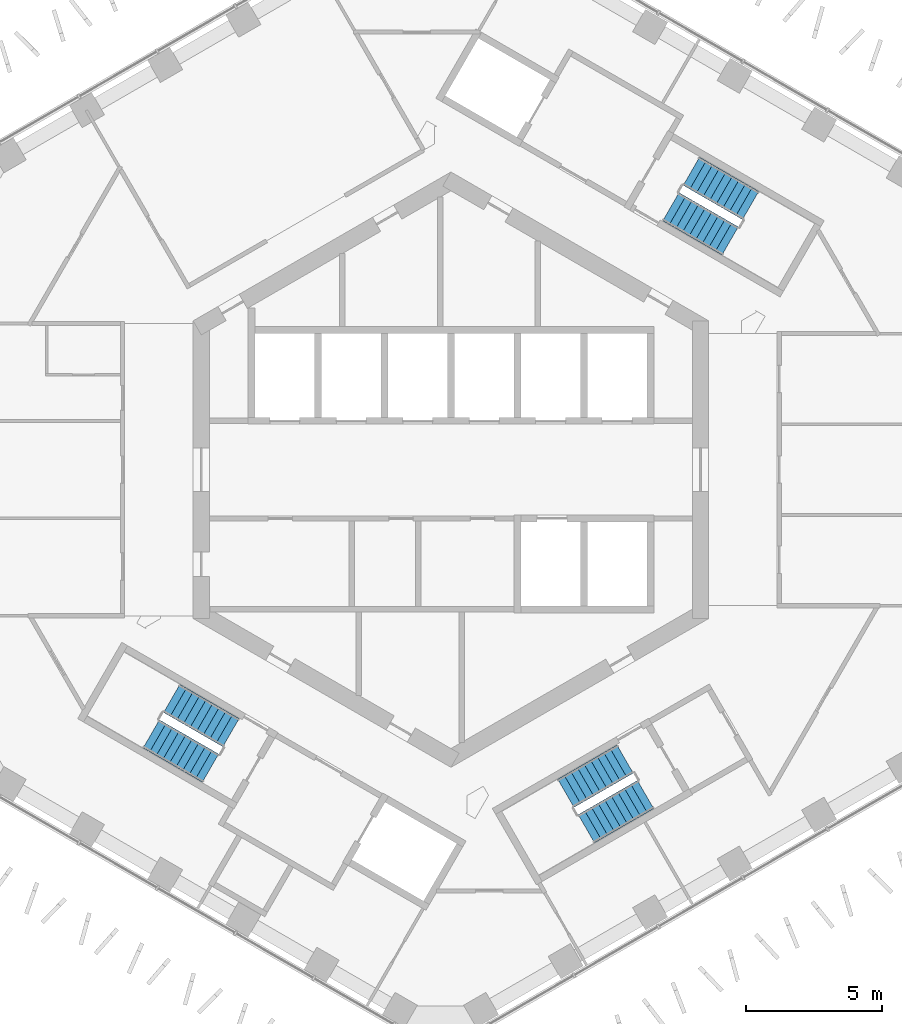
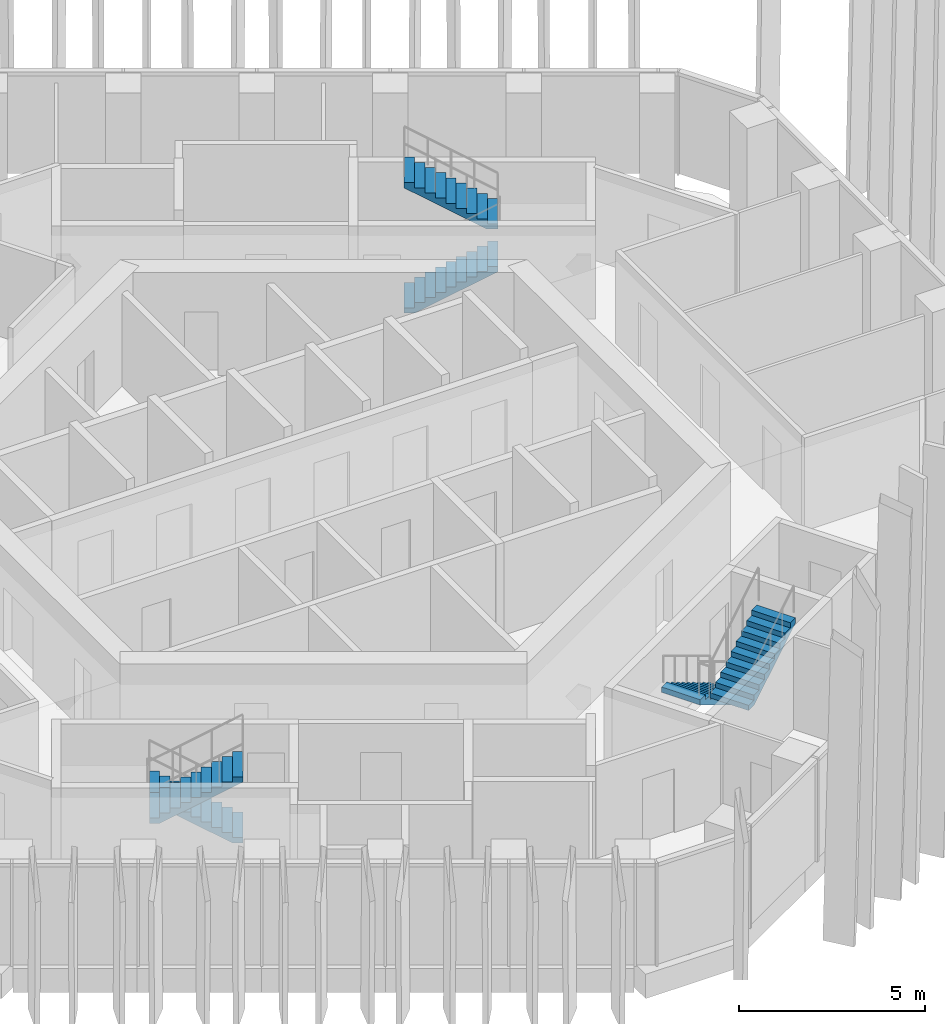
# One storey, part 17 of 21: 6 stair flights, 3 elements without a shape of their own.
"""IFC4 building model written with IfcOpenShell, lengths in metres."""

from ifc_helpers import new_model, si_unit, direction, frame, origin, place, context, subcontext, project, spatial, triangles, material, type_object, element, aggregate, save


model = new_model("IFC4")

# Units and contexts
model_context = context("Model", 3, precision=1e-05, world=origin(), true_north=direction((0.0, 1.0)))
body_context = subcontext(model_context, "Body", "Model", "MODEL_VIEW")
ifc_project = project(units=[si_unit("LENGTHUNIT", "METRE"), si_unit("AREAUNIT", "SQUARE_METRE"), si_unit("VOLUMEUNIT", "CUBIC_METRE"), si_unit("PLANEANGLEUNIT", "RADIAN"), si_unit("MASSUNIT", "GRAM", prefix="KILO")], contexts=[model_context])

# Site, building, storey
site_placement = place(None, origin())
site = spatial("IfcSite", under=ifc_project, at=site_placement, CompositionType="ELEMENT")
building_placement = place(site_placement, origin())
building = spatial("IfcBuilding", under=site, at=building_placement, Name="Ayvan Gate Tower", CompositionType="ELEMENT")
storey_placement = place(building_placement, frame((0.0, 0.0, 173.10009765625)))
storey = spatial("IfcBuildingStorey", under=building, at=storey_placement, Name="L46", CompositionType="ELEMENT", Elevation=173.10009765625)

# Stair, stair flights
ifc_material = material(Name="Concrete C40/50", Category="concrete")
stair_type = type_object("IfcStairType", Name="ST-EXIT", PredefinedType="HALF_TURN_STAIR", material=ifc_material)
stair_1_placement = place(storey_placement, origin())
stair_1 = element("IfcStair", 1, at=stair_1_placement, inside=storey, type_object=stair_type, Name="L46 Exit Stair S1", PredefinedType="HALF_TURN_STAIR")
stair_flight_type = type_object("IfcStairFlightType", Name="SFL-EXIT", PredefinedType="STRAIGHT", material=ifc_material)
stair_flight_1_placement = place(storey_placement, frame((8.106201171875, 9.690185546875, 0.0), z_axis=(0.0, 0.0, 1.0), x_axis=(0.866025403784, -0.5, 0.0)))
stair_flight_1 = element("IfcStairFlight", 2, at=stair_flight_1_placement, type_object=stair_flight_type, Name="STS1 flight 1", NumberOfRisers=10, NumberOfTreads=9, PredefinedType="STRAIGHT", RiserHeight=0.17, TreadLength=0.28, context=body_context, shape_type="Tessellation", body=[
    triangles([(0.288841, -0.599976, 0.0), (2.5205, -0.599976, 1.354936), (2.5205, -0.599976, 1.53), (2.24, -0.599976, 1.53), (2.24, -0.599976, 1.36), (1.96, -0.599976, 1.36), (1.96, -0.599976, 1.19), (1.68, -0.599976, 1.19), (1.68, -0.599976, 1.02), (1.4, -0.599976, 1.02), (1.4, -0.599976, 0.85), (1.12, -0.599976, 0.85), (1.12, -0.599976, 0.68), (0.84, -0.599976, 0.68), (0.84, -0.599976, 0.51), (0.56, -0.599976, 0.51), (0.56, -0.599976, 0.34), (0.28, -0.599976, 0.34), (0.28, -0.599976, 0.17), (-0.0005, -0.599976, 0.17), (-0.0005, -0.599976, 0.0), (0.288841, 0.0, 0.0), (2.5205, 0.0, 1.354936), (2.5205, 0.0, 1.53), (2.24, 0.0, 1.53), (2.24, 0.0, 1.36), (1.96, 0.0, 1.36), (1.96, 0.0, 1.19), (1.68, 0.0, 1.19), (1.68, 0.0, 1.02), (1.4, 0.0, 1.02), (1.4, 0.0, 0.85), (1.12, 0.0, 0.85), (1.12, 0.0, 0.68), (0.84, 0.0, 0.68), (0.84, 0.0, 0.51), (0.56, 0.0, 0.51), (0.56, 0.0, 0.34), (0.28, 0.0, 0.34), (0.28, 0.0, 0.17), (-0.0005, 0.0, 0.17), (-0.0005, 0.0, 0.0), (0.288841, 0.599976, 0.0), (2.5205, 0.599976, 1.354936), (2.5205, 0.599976, 1.53), (2.24, 0.599976, 1.53), (2.24, 0.599976, 1.36), (1.96, 0.599976, 1.36), (1.96, 0.599976, 1.19), (1.68, 0.599976, 1.19), (1.68, 0.599976, 1.02), (1.4, 0.599976, 1.02), (1.4, 0.599976, 0.85), (1.12, 0.599976, 0.85), (1.12, 0.599976, 0.68), (0.84, 0.599976, 0.68), (0.84, 0.599976, 0.51), (0.56, 0.599976, 0.51), (0.56, 0.599976, 0.34), (0.28, 0.599976, 0.34), (0.28, 0.599976, 0.17), (-0.0005, 0.599976, 0.17), (-0.0005, 0.599976, 0.0)], [[21, 1, 2], [63, 44, 43], [2, 3, 4], [44, 46, 45], [2, 4, 5], [44, 47, 46], [2, 5, 6], [44, 48, 47], [2, 6, 7], [44, 49, 48], [7, 8, 9], [49, 51, 50], [2, 7, 9], [44, 51, 49], [9, 10, 11], [51, 53, 52], [2, 9, 11], [44, 53, 51], [11, 12, 13], [53, 55, 54], [2, 11, 13], [44, 55, 53], [13, 14, 15], [55, 57, 56], [2, 13, 15], [44, 57, 55], [15, 16, 17], [57, 59, 58], [2, 15, 17], [44, 59, 57], [17, 18, 19], [59, 61, 60], [2, 17, 19], [44, 61, 59], [21, 2, 19], [63, 61, 44], [19, 20, 21], [61, 63, 62], [1, 22, 23], [1, 23, 2], [43, 23, 22], [43, 44, 23], [2, 23, 24], [2, 24, 3], [44, 24, 23], [44, 45, 24], [3, 24, 25], [3, 25, 4], [45, 25, 24], [45, 46, 25], [4, 25, 26], [4, 26, 5], [46, 26, 25], [46, 47, 26], [5, 26, 27], [5, 27, 6], [47, 27, 26], [47, 48, 27], [6, 27, 28], [6, 28, 7], [48, 28, 27], [48, 49, 28], [7, 28, 29], [7, 29, 8], [49, 29, 28], [49, 50, 29], [8, 29, 30], [8, 30, 9], [50, 30, 29], [50, 51, 30], [9, 30, 31], [9, 31, 10], [51, 31, 30], [51, 52, 31], [10, 31, 32], [10, 32, 11], [52, 32, 31], [52, 53, 32], [11, 32, 33], [11, 33, 12], [53, 33, 32], [53, 54, 33], [12, 33, 34], [12, 34, 13], [54, 34, 33], [54, 55, 34], [13, 34, 35], [13, 35, 14], [55, 35, 34], [55, 56, 35], [14, 35, 36], [14, 36, 15], [56, 36, 35], [56, 57, 36], [15, 36, 37], [15, 37, 16], [57, 37, 36], [57, 58, 37], [16, 37, 38], [16, 38, 17], [58, 38, 37], [58, 59, 38], [17, 38, 39], [17, 39, 18], [59, 39, 38], [59, 60, 39], [18, 39, 40], [18, 40, 19], [60, 40, 39], [60, 61, 40], [19, 40, 41], [19, 41, 20], [61, 41, 40], [61, 62, 41], [20, 41, 42], [20, 42, 21], [62, 42, 41], [62, 63, 42], [21, 42, 22], [21, 22, 1], [63, 22, 42], [63, 43, 22]], closed=True),
])
stair_flight_2_placement = place(storey_placement, frame((11.04345703125, 9.73779296875, 1.699951171875), z_axis=(0.0, 0.0, 1.0), x_axis=(-0.866025403784, 0.5, 0.0)))
stair_flight_2 = element("IfcStairFlight", 3, at=stair_flight_2_placement, type_object=stair_flight_type, Name="STS1 flight 2", NumberOfRisers=10, NumberOfTreads=9, PredefinedType="STRAIGHT", RiserHeight=0.17, TreadLength=0.28, context=body_context, shape_type="Tessellation", body=[
    triangles([(0.288841, -0.599976, 0.0), (2.5205, -0.599976, 1.354936), (2.5205, -0.599976, 1.53), (2.24, -0.599976, 1.53), (2.24, -0.599976, 1.36), (1.96, -0.599976, 1.36), (1.96, -0.599976, 1.19), (1.68, -0.599976, 1.19), (1.68, -0.599976, 1.02), (1.4, -0.599976, 1.02), (1.4, -0.599976, 0.85), (1.12, -0.599976, 0.85), (1.12, -0.599976, 0.68), (0.84, -0.599976, 0.68), (0.84, -0.599976, 0.51), (0.56, -0.599976, 0.51), (0.56, -0.599976, 0.34), (0.28, -0.599976, 0.34), (0.28, -0.599976, 0.17), (-0.0005, -0.599976, 0.17), (-0.0005, -0.599976, 0.0), (0.288841, 0.0, 0.0), (2.5205, 0.0, 1.354936), (2.5205, 0.0, 1.53), (2.24, 0.0, 1.53), (2.24, 0.0, 1.36), (1.96, 0.0, 1.36), (1.96, 0.0, 1.19), (1.68, 0.0, 1.19), (1.68, 0.0, 1.02), (1.4, 0.0, 1.02), (1.4, 0.0, 0.85), (1.12, 0.0, 0.85), (1.12, 0.0, 0.68), (0.84, 0.0, 0.68), (0.84, 0.0, 0.51), (0.56, 0.0, 0.51), (0.56, 0.0, 0.34), (0.28, 0.0, 0.34), (0.28, 0.0, 0.17), (-0.0005, 0.0, 0.17), (-0.0005, 0.0, 0.0), (0.288841, 0.599976, 0.0), (2.5205, 0.599976, 1.354936), (2.5205, 0.599976, 1.53), (2.24, 0.599976, 1.53), (2.24, 0.599976, 1.36), (1.96, 0.599976, 1.36), (1.96, 0.599976, 1.19), (1.68, 0.599976, 1.19), (1.68, 0.599976, 1.02), (1.4, 0.599976, 1.02), (1.4, 0.599976, 0.85), (1.12, 0.599976, 0.85), (1.12, 0.599976, 0.68), (0.84, 0.599976, 0.68), (0.84, 0.599976, 0.51), (0.56, 0.599976, 0.51), (0.56, 0.599976, 0.34), (0.28, 0.599976, 0.34), (0.28, 0.599976, 0.17), (-0.0005, 0.599976, 0.17), (-0.0005, 0.599976, 0.0)], [[21, 1, 2], [63, 44, 43], [2, 3, 4], [44, 46, 45], [2, 4, 5], [44, 47, 46], [2, 5, 6], [44, 48, 47], [2, 6, 7], [44, 49, 48], [7, 8, 9], [49, 51, 50], [2, 7, 9], [44, 51, 49], [9, 10, 11], [51, 53, 52], [2, 9, 11], [44, 53, 51], [11, 12, 13], [53, 55, 54], [2, 11, 13], [44, 55, 53], [13, 14, 15], [55, 57, 56], [2, 13, 15], [44, 57, 55], [15, 16, 17], [57, 59, 58], [2, 15, 17], [44, 59, 57], [17, 18, 19], [59, 61, 60], [2, 17, 19], [44, 61, 59], [21, 2, 19], [63, 61, 44], [19, 20, 21], [61, 63, 62], [1, 22, 23], [1, 23, 2], [43, 23, 22], [43, 44, 23], [2, 23, 24], [2, 24, 3], [44, 24, 23], [44, 45, 24], [3, 24, 25], [3, 25, 4], [45, 25, 24], [45, 46, 25], [4, 25, 26], [4, 26, 5], [46, 26, 25], [46, 47, 26], [5, 26, 27], [5, 27, 6], [47, 27, 26], [47, 48, 27], [6, 27, 28], [6, 28, 7], [48, 28, 27], [48, 49, 28], [7, 28, 29], [7, 29, 8], [49, 29, 28], [49, 50, 29], [8, 29, 30], [8, 30, 9], [50, 30, 29], [50, 51, 30], [9, 30, 31], [9, 31, 10], [51, 31, 30], [51, 52, 31], [10, 31, 32], [10, 32, 11], [52, 32, 31], [52, 53, 32], [11, 32, 33], [11, 33, 12], [53, 33, 32], [53, 54, 33], [12, 33, 34], [12, 34, 13], [54, 34, 33], [54, 55, 34], [13, 34, 35], [13, 35, 14], [55, 35, 34], [55, 56, 35], [14, 35, 36], [14, 36, 15], [56, 36, 35], [56, 57, 36], [15, 36, 37], [15, 37, 16], [57, 37, 36], [57, 58, 37], [16, 37, 38], [16, 38, 17], [58, 38, 37], [58, 59, 38], [17, 38, 39], [17, 39, 18], [59, 39, 38], [59, 60, 39], [18, 39, 40], [18, 40, 19], [60, 40, 39], [60, 61, 40], [19, 40, 41], [19, 41, 20], [61, 41, 40], [61, 62, 41], [20, 41, 42], [20, 42, 21], [62, 42, 41], [62, 63, 42], [21, 42, 22], [21, 22, 1], [63, 22, 42], [63, 43, 22]], closed=True),
])
aggregate(stair_1, [stair_flight_1, stair_flight_2])

stair_2_placement = place(storey_placement, origin())
stair_2 = element("IfcStair", 4, at=stair_2_placement, inside=storey, type_object=stair_type, Name="L46 Exit Stair S2", PredefinedType="HALF_TURN_STAIR")
stair_flight_3_placement = place(storey_placement, frame((-8.106201171875, -9.690185546875, 0.0), z_axis=(0.0, 0.0, 1.0), x_axis=(-0.866025403784, 0.5, 0.0)))
stair_flight_3 = element("IfcStairFlight", 5, at=stair_flight_3_placement, type_object=stair_flight_type, Name="STS2 flight 1", NumberOfRisers=10, NumberOfTreads=9, PredefinedType="STRAIGHT", RiserHeight=0.17, TreadLength=0.28, context=body_context, shape_type="Tessellation", body=[
    triangles([(0.288841, -0.599976, 0.0), (2.5205, -0.599976, 1.354936), (2.5205, -0.599976, 1.53), (2.24, -0.599976, 1.53), (2.24, -0.599976, 1.36), (1.96, -0.599976, 1.36), (1.96, -0.599976, 1.19), (1.68, -0.599976, 1.19), (1.68, -0.599976, 1.02), (1.4, -0.599976, 1.02), (1.4, -0.599976, 0.85), (1.12, -0.599976, 0.85), (1.12, -0.599976, 0.68), (0.84, -0.599976, 0.68), (0.84, -0.599976, 0.51), (0.56, -0.599976, 0.51), (0.56, -0.599976, 0.34), (0.28, -0.599976, 0.34), (0.28, -0.599976, 0.17), (-0.0005, -0.599976, 0.17), (-0.0005, -0.599976, 0.0), (0.288841, 0.0, 0.0), (2.5205, 0.0, 1.354936), (2.5205, 0.0, 1.53), (2.24, 0.0, 1.53), (2.24, 0.0, 1.36), (1.96, 0.0, 1.36), (1.96, 0.0, 1.19), (1.68, 0.0, 1.19), (1.68, 0.0, 1.02), (1.4, 0.0, 1.02), (1.4, 0.0, 0.85), (1.12, 0.0, 0.85), (1.12, 0.0, 0.68), (0.84, 0.0, 0.68), (0.84, 0.0, 0.51), (0.56, 0.0, 0.51), (0.56, 0.0, 0.34), (0.28, 0.0, 0.34), (0.28, 0.0, 0.17), (-0.0005, 0.0, 0.17), (-0.0005, 0.0, 0.0), (0.288841, 0.599976, 0.0), (2.5205, 0.599976, 1.354936), (2.5205, 0.599976, 1.53), (2.24, 0.599976, 1.53), (2.24, 0.599976, 1.36), (1.96, 0.599976, 1.36), (1.96, 0.599976, 1.19), (1.68, 0.599976, 1.19), (1.68, 0.599976, 1.02), (1.4, 0.599976, 1.02), (1.4, 0.599976, 0.85), (1.12, 0.599976, 0.85), (1.12, 0.599976, 0.68), (0.84, 0.599976, 0.68), (0.84, 0.599976, 0.51), (0.56, 0.599976, 0.51), (0.56, 0.599976, 0.34), (0.28, 0.599976, 0.34), (0.28, 0.599976, 0.17), (-0.0005, 0.599976, 0.17), (-0.0005, 0.599976, 0.0)], [[21, 1, 2], [63, 44, 43], [2, 3, 4], [44, 46, 45], [2, 4, 5], [44, 47, 46], [2, 5, 6], [44, 48, 47], [2, 6, 7], [44, 49, 48], [7, 8, 9], [49, 51, 50], [2, 7, 9], [44, 51, 49], [9, 10, 11], [51, 53, 52], [2, 9, 11], [44, 53, 51], [11, 12, 13], [53, 55, 54], [2, 11, 13], [44, 55, 53], [13, 14, 15], [55, 57, 56], [2, 13, 15], [44, 57, 55], [15, 16, 17], [57, 59, 58], [2, 15, 17], [44, 59, 57], [17, 18, 19], [59, 61, 60], [2, 17, 19], [44, 61, 59], [21, 2, 19], [63, 61, 44], [19, 20, 21], [61, 63, 62], [1, 22, 23], [1, 23, 2], [43, 23, 22], [43, 44, 23], [2, 23, 24], [2, 24, 3], [44, 24, 23], [44, 45, 24], [3, 24, 25], [3, 25, 4], [45, 25, 24], [45, 46, 25], [4, 25, 26], [4, 26, 5], [46, 26, 25], [46, 47, 26], [5, 26, 27], [5, 27, 6], [47, 27, 26], [47, 48, 27], [6, 27, 28], [6, 28, 7], [48, 28, 27], [48, 49, 28], [7, 28, 29], [7, 29, 8], [49, 29, 28], [49, 50, 29], [8, 29, 30], [8, 30, 9], [50, 30, 29], [50, 51, 30], [9, 30, 31], [9, 31, 10], [51, 31, 30], [51, 52, 31], [10, 31, 32], [10, 32, 11], [52, 32, 31], [52, 53, 32], [11, 32, 33], [11, 33, 12], [53, 33, 32], [53, 54, 33], [12, 33, 34], [12, 34, 13], [54, 34, 33], [54, 55, 34], [13, 34, 35], [13, 35, 14], [55, 35, 34], [55, 56, 35], [14, 35, 36], [14, 36, 15], [56, 36, 35], [56, 57, 36], [15, 36, 37], [15, 37, 16], [57, 37, 36], [57, 58, 37], [16, 37, 38], [16, 38, 17], [58, 38, 37], [58, 59, 38], [17, 38, 39], [17, 39, 18], [59, 39, 38], [59, 60, 39], [18, 39, 40], [18, 40, 19], [60, 40, 39], [60, 61, 40], [19, 40, 41], [19, 41, 20], [61, 41, 40], [61, 62, 41], [20, 41, 42], [20, 42, 21], [62, 42, 41], [62, 63, 42], [21, 42, 22], [21, 22, 1], [63, 22, 42], [63, 43, 22]], closed=True),
])
stair_flight_4_placement = place(storey_placement, frame((-11.04345703125, -9.73779296875, 1.699951171875), z_axis=(0.0, 0.0, 1.0), x_axis=(0.866025403784, -0.5, 0.0)))
stair_flight_4 = element("IfcStairFlight", 6, at=stair_flight_4_placement, type_object=stair_flight_type, Name="STS2 flight 2", NumberOfRisers=10, NumberOfTreads=9, PredefinedType="STRAIGHT", RiserHeight=0.17, TreadLength=0.28, context=body_context, shape_type="Tessellation", body=[
    triangles([(0.288841, -0.599976, 0.0), (2.5205, -0.599976, 1.354936), (2.5205, -0.599976, 1.53), (2.24, -0.599976, 1.53), (2.24, -0.599976, 1.36), (1.96, -0.599976, 1.36), (1.96, -0.599976, 1.19), (1.68, -0.599976, 1.19), (1.68, -0.599976, 1.02), (1.4, -0.599976, 1.02), (1.4, -0.599976, 0.85), (1.12, -0.599976, 0.85), (1.12, -0.599976, 0.68), (0.84, -0.599976, 0.68), (0.84, -0.599976, 0.51), (0.56, -0.599976, 0.51), (0.56, -0.599976, 0.34), (0.28, -0.599976, 0.34), (0.28, -0.599976, 0.17), (-0.0005, -0.599976, 0.17), (-0.0005, -0.599976, 0.0), (0.288841, 0.0, 0.0), (2.5205, 0.0, 1.354936), (2.5205, 0.0, 1.53), (2.24, 0.0, 1.53), (2.24, 0.0, 1.36), (1.96, 0.0, 1.36), (1.96, 0.0, 1.19), (1.68, 0.0, 1.19), (1.68, 0.0, 1.02), (1.4, 0.0, 1.02), (1.4, 0.0, 0.85), (1.12, 0.0, 0.85), (1.12, 0.0, 0.68), (0.84, 0.0, 0.68), (0.84, 0.0, 0.51), (0.56, 0.0, 0.51), (0.56, 0.0, 0.34), (0.28, 0.0, 0.34), (0.28, 0.0, 0.17), (-0.0005, 0.0, 0.17), (-0.0005, 0.0, 0.0), (0.288841, 0.599976, 0.0), (2.5205, 0.599976, 1.354936), (2.5205, 0.599976, 1.53), (2.24, 0.599976, 1.53), (2.24, 0.599976, 1.36), (1.96, 0.599976, 1.36), (1.96, 0.599976, 1.19), (1.68, 0.599976, 1.19), (1.68, 0.599976, 1.02), (1.4, 0.599976, 1.02), (1.4, 0.599976, 0.85), (1.12, 0.599976, 0.85), (1.12, 0.599976, 0.68), (0.84, 0.599976, 0.68), (0.84, 0.599976, 0.51), (0.56, 0.599976, 0.51), (0.56, 0.599976, 0.34), (0.28, 0.599976, 0.34), (0.28, 0.599976, 0.17), (-0.0005, 0.599976, 0.17), (-0.0005, 0.599976, 0.0)], [[21, 1, 2], [63, 44, 43], [2, 3, 4], [44, 46, 45], [2, 4, 5], [44, 47, 46], [2, 5, 6], [44, 48, 47], [2, 6, 7], [44, 49, 48], [7, 8, 9], [49, 51, 50], [2, 7, 9], [44, 51, 49], [9, 10, 11], [51, 53, 52], [2, 9, 11], [44, 53, 51], [11, 12, 13], [53, 55, 54], [2, 11, 13], [44, 55, 53], [13, 14, 15], [55, 57, 56], [2, 13, 15], [44, 57, 55], [15, 16, 17], [57, 59, 58], [2, 15, 17], [44, 59, 57], [17, 18, 19], [59, 61, 60], [2, 17, 19], [44, 61, 59], [21, 2, 19], [63, 61, 44], [19, 20, 21], [61, 63, 62], [1, 22, 23], [1, 23, 2], [43, 23, 22], [43, 44, 23], [2, 23, 24], [2, 24, 3], [44, 24, 23], [44, 45, 24], [3, 24, 25], [3, 25, 4], [45, 25, 24], [45, 46, 25], [4, 25, 26], [4, 26, 5], [46, 26, 25], [46, 47, 26], [5, 26, 27], [5, 27, 6], [47, 27, 26], [47, 48, 27], [6, 27, 28], [6, 28, 7], [48, 28, 27], [48, 49, 28], [7, 28, 29], [7, 29, 8], [49, 29, 28], [49, 50, 29], [8, 29, 30], [8, 30, 9], [50, 30, 29], [50, 51, 30], [9, 30, 31], [9, 31, 10], [51, 31, 30], [51, 52, 31], [10, 31, 32], [10, 32, 11], [52, 32, 31], [52, 53, 32], [11, 32, 33], [11, 33, 12], [53, 33, 32], [53, 54, 33], [12, 33, 34], [12, 34, 13], [54, 34, 33], [54, 55, 34], [13, 34, 35], [13, 35, 14], [55, 35, 34], [55, 56, 35], [14, 35, 36], [14, 36, 15], [56, 36, 35], [56, 57, 36], [15, 36, 37], [15, 37, 16], [57, 37, 36], [57, 58, 37], [16, 37, 38], [16, 38, 17], [58, 38, 37], [58, 59, 38], [17, 38, 39], [17, 39, 18], [59, 39, 38], [59, 60, 39], [18, 39, 40], [18, 40, 19], [60, 40, 39], [60, 61, 40], [19, 40, 41], [19, 41, 20], [61, 41, 40], [61, 62, 41], [20, 41, 42], [20, 42, 21], [62, 42, 41], [62, 63, 42], [21, 42, 22], [21, 22, 1], [63, 22, 42], [63, 43, 22]], closed=True),
])
aggregate(stair_2, [stair_flight_3, stair_flight_4])

stair_3_placement = place(storey_placement, origin())
stair_3 = element("IfcStair", 7, at=stair_3_placement, inside=storey, type_object=stair_type, Name="L46 Exit Stair S3", PredefinedType="HALF_TURN_STAIR")
stair_flight_5_placement = place(storey_placement, frame((6.417236328125, -10.665283203125, 0.0), z_axis=(0.0, 0.0, 1.0), x_axis=(-0.866025403784, -0.5, 0.0)))
stair_flight_5 = element("IfcStairFlight", 8, at=stair_flight_5_placement, type_object=stair_flight_type, Name="STS3 flight 1", NumberOfRisers=10, NumberOfTreads=9, PredefinedType="STRAIGHT", RiserHeight=0.17, TreadLength=0.28, context=body_context, shape_type="Tessellation", body=[
    triangles([(0.288841, -0.599976, 0.0), (2.5205, -0.599976, 1.354936), (2.5205, -0.599976, 1.53), (2.24, -0.599976, 1.53), (2.24, -0.599976, 1.36), (1.96, -0.599976, 1.36), (1.96, -0.599976, 1.19), (1.68, -0.599976, 1.19), (1.68, -0.599976, 1.02), (1.4, -0.599976, 1.02), (1.4, -0.599976, 0.85), (1.12, -0.599976, 0.85), (1.12, -0.599976, 0.68), (0.84, -0.599976, 0.68), (0.84, -0.599976, 0.51), (0.56, -0.599976, 0.51), (0.56, -0.599976, 0.34), (0.28, -0.599976, 0.34), (0.28, -0.599976, 0.17), (-0.0005, -0.599976, 0.17), (-0.0005, -0.599976, 0.0), (0.288841, 0.0, 0.0), (2.5205, 0.0, 1.354936), (2.5205, 0.0, 1.53), (2.24, 0.0, 1.53), (2.24, 0.0, 1.36), (1.96, 0.0, 1.36), (1.96, 0.0, 1.19), (1.68, 0.0, 1.19), (1.68, 0.0, 1.02), (1.4, 0.0, 1.02), (1.4, 0.0, 0.85), (1.12, 0.0, 0.85), (1.12, 0.0, 0.68), (0.84, 0.0, 0.68), (0.84, 0.0, 0.51), (0.56, 0.0, 0.51), (0.56, 0.0, 0.34), (0.28, 0.0, 0.34), (0.28, 0.0, 0.17), (-0.0005, 0.0, 0.17), (-0.0005, 0.0, 0.0), (0.288841, 0.599976, 0.0), (2.5205, 0.599976, 1.354936), (2.5205, 0.599976, 1.53), (2.24, 0.599976, 1.53), (2.24, 0.599976, 1.36), (1.96, 0.599976, 1.36), (1.96, 0.599976, 1.19), (1.68, 0.599976, 1.19), (1.68, 0.599976, 1.02), (1.4, 0.599976, 1.02), (1.4, 0.599976, 0.85), (1.12, 0.599976, 0.85), (1.12, 0.599976, 0.68), (0.84, 0.599976, 0.68), (0.84, 0.599976, 0.51), (0.56, 0.599976, 0.51), (0.56, 0.599976, 0.34), (0.28, 0.599976, 0.34), (0.28, 0.599976, 0.17), (-0.0005, 0.599976, 0.17), (-0.0005, 0.599976, 0.0)], [[21, 1, 2], [63, 44, 43], [2, 3, 4], [44, 46, 45], [2, 4, 5], [44, 47, 46], [2, 5, 6], [44, 48, 47], [2, 6, 7], [44, 49, 48], [7, 8, 9], [49, 51, 50], [2, 7, 9], [44, 51, 49], [9, 10, 11], [51, 53, 52], [2, 9, 11], [44, 53, 51], [11, 12, 13], [53, 55, 54], [2, 11, 13], [44, 55, 53], [13, 14, 15], [55, 57, 56], [2, 13, 15], [44, 57, 55], [15, 16, 17], [57, 59, 58], [2, 15, 17], [44, 59, 57], [17, 18, 19], [59, 61, 60], [2, 17, 19], [44, 61, 59], [21, 2, 19], [63, 61, 44], [19, 20, 21], [61, 63, 62], [1, 22, 23], [1, 23, 2], [43, 23, 22], [43, 44, 23], [2, 23, 24], [2, 24, 3], [44, 24, 23], [44, 45, 24], [3, 24, 25], [3, 25, 4], [45, 25, 24], [45, 46, 25], [4, 25, 26], [4, 26, 5], [46, 26, 25], [46, 47, 26], [5, 26, 27], [5, 27, 6], [47, 27, 26], [47, 48, 27], [6, 27, 28], [6, 28, 7], [48, 28, 27], [48, 49, 28], [7, 28, 29], [7, 29, 8], [49, 29, 28], [49, 50, 29], [8, 29, 30], [8, 30, 9], [50, 30, 29], [50, 51, 30], [9, 30, 31], [9, 31, 10], [51, 31, 30], [51, 52, 31], [10, 31, 32], [10, 32, 11], [52, 32, 31], [52, 53, 32], [11, 32, 33], [11, 33, 12], [53, 33, 32], [53, 54, 33], [12, 33, 34], [12, 34, 13], [54, 34, 33], [54, 55, 34], [13, 34, 35], [13, 35, 14], [55, 35, 34], [55, 56, 35], [14, 35, 36], [14, 36, 15], [56, 36, 35], [56, 57, 36], [15, 36, 37], [15, 37, 16], [57, 37, 36], [57, 58, 37], [16, 37, 38], [16, 38, 17], [58, 38, 37], [58, 59, 38], [17, 38, 39], [17, 39, 18], [59, 39, 38], [59, 60, 39], [18, 39, 40], [18, 40, 19], [60, 40, 39], [60, 61, 40], [19, 40, 41], [19, 41, 20], [61, 41, 40], [61, 62, 41], [20, 41, 42], [20, 42, 21], [62, 42, 41], [62, 63, 42], [21, 42, 22], [21, 22, 1], [63, 22, 42], [63, 43, 22]], closed=True),
])
stair_flight_6_placement = place(storey_placement, frame((4.989990234375, -13.23291015625, 1.699951171875), z_axis=(0.0, 0.0, 1.0), x_axis=(0.866025403784, 0.5, 0.0)))
stair_flight_6 = element("IfcStairFlight", 9, at=stair_flight_6_placement, type_object=stair_flight_type, Name="STS3 flight 2", NumberOfRisers=10, NumberOfTreads=9, PredefinedType="STRAIGHT", RiserHeight=0.17, TreadLength=0.28, context=body_context, shape_type="Tessellation", body=[
    triangles([(0.288841, -0.599976, 0.0), (2.5205, -0.599976, 1.354936), (2.5205, -0.599976, 1.53), (2.24, -0.599976, 1.53), (2.24, -0.599976, 1.36), (1.96, -0.599976, 1.36), (1.96, -0.599976, 1.19), (1.68, -0.599976, 1.19), (1.68, -0.599976, 1.02), (1.4, -0.599976, 1.02), (1.4, -0.599976, 0.85), (1.12, -0.599976, 0.85), (1.12, -0.599976, 0.68), (0.84, -0.599976, 0.68), (0.84, -0.599976, 0.51), (0.56, -0.599976, 0.51), (0.56, -0.599976, 0.34), (0.28, -0.599976, 0.34), (0.28, -0.599976, 0.17), (-0.0005, -0.599976, 0.17), (-0.0005, -0.599976, 0.0), (0.288841, 0.0, 0.0), (2.5205, 0.0, 1.354936), (2.5205, 0.0, 1.53), (2.24, 0.0, 1.53), (2.24, 0.0, 1.36), (1.96, 0.0, 1.36), (1.96, 0.0, 1.19), (1.68, 0.0, 1.19), (1.68, 0.0, 1.02), (1.4, 0.0, 1.02), (1.4, 0.0, 0.85), (1.12, 0.0, 0.85), (1.12, 0.0, 0.68), (0.84, 0.0, 0.68), (0.84, 0.0, 0.51), (0.56, 0.0, 0.51), (0.56, 0.0, 0.34), (0.28, 0.0, 0.34), (0.28, 0.0, 0.17), (-0.0005, 0.0, 0.17), (-0.0005, 0.0, 0.0), (0.288841, 0.599976, 0.0), (2.5205, 0.599976, 1.354936), (2.5205, 0.599976, 1.53), (2.24, 0.599976, 1.53), (2.24, 0.599976, 1.36), (1.96, 0.599976, 1.36), (1.96, 0.599976, 1.19), (1.68, 0.599976, 1.19), (1.68, 0.599976, 1.02), (1.4, 0.599976, 1.02), (1.4, 0.599976, 0.85), (1.12, 0.599976, 0.85), (1.12, 0.599976, 0.68), (0.84, 0.599976, 0.68), (0.84, 0.599976, 0.51), (0.56, 0.599976, 0.51), (0.56, 0.599976, 0.34), (0.28, 0.599976, 0.34), (0.28, 0.599976, 0.17), (-0.0005, 0.599976, 0.17), (-0.0005, 0.599976, 0.0)], [[21, 1, 2], [63, 44, 43], [2, 3, 4], [44, 46, 45], [2, 4, 5], [44, 47, 46], [2, 5, 6], [44, 48, 47], [2, 6, 7], [44, 49, 48], [7, 8, 9], [49, 51, 50], [2, 7, 9], [44, 51, 49], [9, 10, 11], [51, 53, 52], [2, 9, 11], [44, 53, 51], [11, 12, 13], [53, 55, 54], [2, 11, 13], [44, 55, 53], [13, 14, 15], [55, 57, 56], [2, 13, 15], [44, 57, 55], [15, 16, 17], [57, 59, 58], [2, 15, 17], [44, 59, 57], [17, 18, 19], [59, 61, 60], [2, 17, 19], [44, 61, 59], [21, 2, 19], [63, 61, 44], [19, 20, 21], [61, 63, 62], [1, 22, 23], [1, 23, 2], [43, 23, 22], [43, 44, 23], [2, 23, 24], [2, 24, 3], [44, 24, 23], [44, 45, 24], [3, 24, 25], [3, 25, 4], [45, 25, 24], [45, 46, 25], [4, 25, 26], [4, 26, 5], [46, 26, 25], [46, 47, 26], [5, 26, 27], [5, 27, 6], [47, 27, 26], [47, 48, 27], [6, 27, 28], [6, 28, 7], [48, 28, 27], [48, 49, 28], [7, 28, 29], [7, 29, 8], [49, 29, 28], [49, 50, 29], [8, 29, 30], [8, 30, 9], [50, 30, 29], [50, 51, 30], [9, 30, 31], [9, 31, 10], [51, 31, 30], [51, 52, 31], [10, 31, 32], [10, 32, 11], [52, 32, 31], [52, 53, 32], [11, 32, 33], [11, 33, 12], [53, 33, 32], [53, 54, 33], [12, 33, 34], [12, 34, 13], [54, 34, 33], [54, 55, 34], [13, 34, 35], [13, 35, 14], [55, 35, 34], [55, 56, 35], [14, 35, 36], [14, 36, 15], [56, 36, 35], [56, 57, 36], [15, 36, 37], [15, 37, 16], [57, 37, 36], [57, 58, 37], [16, 37, 38], [16, 38, 17], [58, 38, 37], [58, 59, 38], [17, 38, 39], [17, 39, 18], [59, 39, 38], [59, 60, 39], [18, 39, 40], [18, 40, 19], [60, 40, 39], [60, 61, 40], [19, 40, 41], [19, 41, 20], [61, 41, 40], [61, 62, 41], [20, 41, 42], [20, 42, 21], [62, 42, 41], [62, 63, 42], [21, 42, 22], [21, 22, 1], [63, 22, 42], [63, 43, 22]], closed=True),
])
aggregate(stair_3, [stair_flight_5, stair_flight_6])

save(model, "model.ifc")
